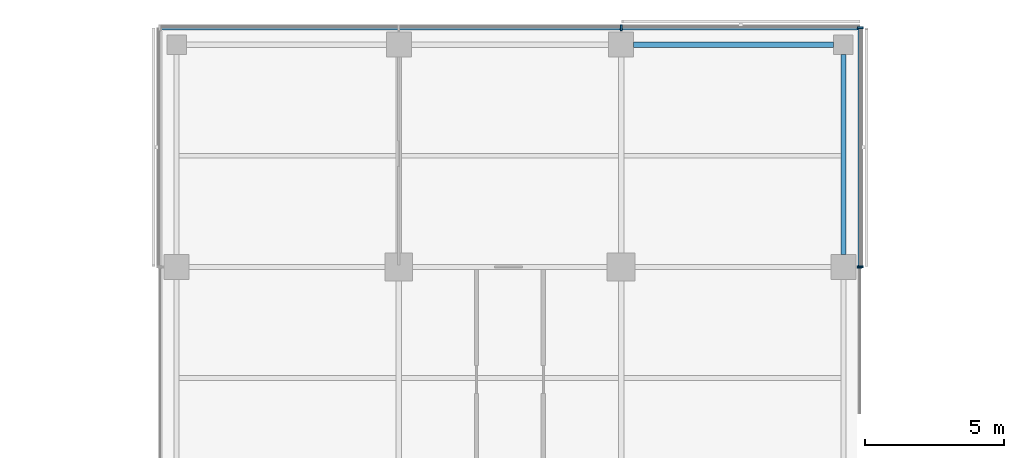
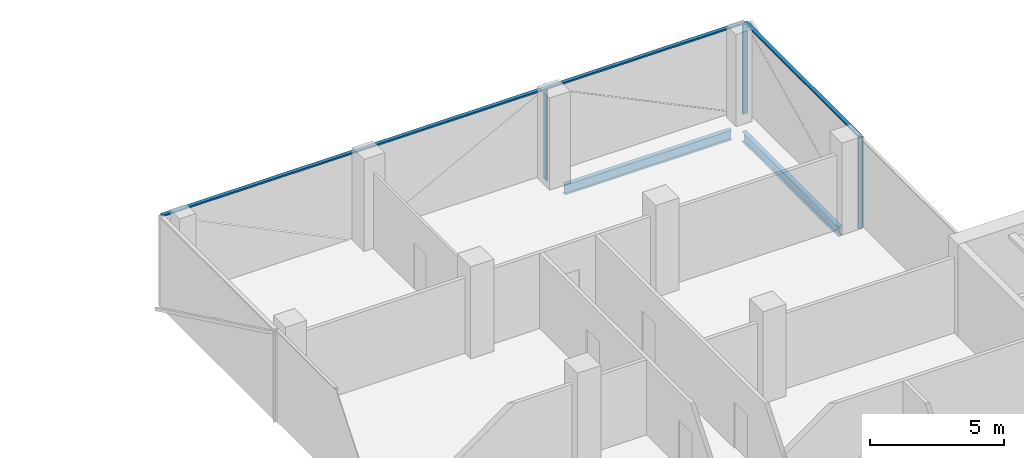
# One storey, part 10 of 22: 6 members, 2 beams, 3 elements without a shape of their own.
"""IFC4 building model written with IfcOpenShell, lengths in metres."""

from ifc_helpers import new_model, si_unit, direction, frame, origin, origin_2d, place, context, subcontext, project, spatial, rectangle, i_section, extrude, material, material_profile, profile_set, type_object, element, aggregate, save


model = new_model("IFC4")

# Units and contexts
model_context = context("Model", 3, precision=1e-05, world=origin(), true_north=direction((0.0, 1.0)))
body_context = subcontext(model_context, "Body", "Model", "MODEL_VIEW")
ifc_project = project(units=[si_unit("LENGTHUNIT", "METRE"), si_unit("AREAUNIT", "SQUARE_METRE"), si_unit("VOLUMEUNIT", "CUBIC_METRE"), si_unit("PLANEANGLEUNIT", "RADIAN"), si_unit("MASSUNIT", "GRAM", prefix="KILO")], contexts=[model_context])

# Site, building, storey
site_placement = place(None, origin())
site = spatial("IfcSite", under=ifc_project, at=site_placement, CompositionType="ELEMENT")
building_placement = place(site_placement, origin())
building = spatial("IfcBuilding", under=site, at=building_placement, Name="Crosswind Convention Tower", CompositionType="ELEMENT")
storey_placement = place(building_placement, frame((0.0, 0.0, 158.89990234375)))
storey = spatial("IfcBuildingStorey", under=building, at=storey_placement, Name="L33", CompositionType="ELEMENT", Elevation=158.89990234375)

# Beams
ifc_material_1 = material(Name="Steel S355", Category="steel")
ifc_material_profile_1 = material_profile(ifc_material_1, i_section(OverallWidth=0.18994140625, OverallDepth=0.45361328125, WebThickness=0.008544921875, FlangeThickness=0.0126953125, FilletRadius=0.01025390625, at=origin_2d()), Name="UB 457x191x67")
ifc_profile_set_1 = profile_set([ifc_material_profile_1], Name="Steel S355")
beam_type = type_object("IfcBeamType", Name="Edge beam UB 457x191x67", PredefinedType="SPANDREL", material=ifc_profile_set_1)
for number, where, z_axis, x_axis, name in (
    (1, (129.449951171875, 128.0, -0.526611328125), (1.0, 0.0, 0.0), (0.0, 1.0, 0.0), "B16 L33 edge beam 15"),
    (2, (137.0, 120.449951171875, -0.526611328125), (0.0, 1.0, 0.0), (-1.0, 0.0, 0.0), "B16 L33 edge beam 19"),
):
    element("IfcBeam", number, at=place(storey_placement, frame(where, z_axis=z_axis, x_axis=x_axis)), inside=storey, type_object=beam_type, Name=name, PredefinedType="SPANDREL", context=body_context, shape_type="SweptSolid", body=[
        extrude(i_section(OverallWidth=0.18994140625, OverallDepth=0.45361328125, WebThickness=0.008544921875, FlangeThickness=0.0126953125, FilletRadius=0.01025390625, at=origin_2d()), origin(), (0.0, 0.0, 1.0), 7.199951171875),
    ])

# Curtain wall, member
ifc_material_2 = material(Name="Aluminium unitised curtain wall", Category="aluminium")
curtain_wall_type_1 = type_object("IfcCurtainWallType", Name="CORE END SLOT WALL 160", PredefinedType="USERDEFINED", material=ifc_material_2)
curtain_wall_1_placement = place(storey_placement, origin())
curtain_wall_1 = element("IfcCurtainWall", 3, at=curtain_wall_1_placement, inside=storey, type_object=curtain_wall_type_1, Name="CW6 L33 N-E.1-1 slot", ObjectType="UNITISED", PredefinedType="USERDEFINED")
ifc_material_3 = material(Name="Aluminium mullion", Category="aluminium")
ifc_material_profile_2 = material_profile(ifc_material_3, rectangle(XDim=0.159912109375, YDim=0.050048828125, at=origin_2d()), Name="AL 160X50")
ifc_profile_set_2 = profile_set([ifc_material_profile_2], Name="Aluminium mullion")
member_type_1 = type_object("IfcMemberType", Name="MULLION 50X160", PredefinedType="MULLION", material=ifc_profile_set_2)
member_1_placement = place(storey_placement, frame((137.580078125, 119.97509765625, -0.2998046875), z_axis=(0.0, 0.0, 1.0), x_axis=(1.0, 0.0, 0.0)))
member_1 = element("IfcMember", 4, at=member_1_placement, type_object=member_type_1, Name="CW6 mullion 2", PredefinedType="MULLION", context=body_context, shape_type="SweptSolid", body=[
    extrude(rectangle(XDim=0.159912109375, YDim=0.050048828125, at=origin_2d()), origin(), (0.0, 0.0, 1.0), 4.14990234375),
])
aggregate(curtain_wall_1, [member_1])

# Curtain wall, members
curtain_wall_type_2 = type_object("IfcCurtainWallType", Name="OFFICE UNITISED WALL 220", PredefinedType="USERDEFINED", material=ifc_material_2)
curtain_wall_2_placement = place(storey_placement, origin())
curtain_wall_2 = element("IfcCurtainWall", 5, at=curtain_wall_2_placement, inside=storey, type_object=curtain_wall_type_2, Name="CW3 L33 N-E 1", ObjectType="UNITISED", PredefinedType="USERDEFINED")
ifc_material_profile_3 = material_profile(ifc_material_3, rectangle(XDim=0.219970703125, YDim=0.070068359375, at=origin_2d()), Name="AL 220X70")
ifc_profile_set_3 = profile_set([ifc_material_profile_3], Name="Aluminium mullion")
member_type_2 = type_object("IfcMemberType", Name="MULLION 70X220", PredefinedType="MULLION", material=ifc_profile_set_3)
member_2_placement = place(storey_placement, frame((137.610107421875, 120.0, -0.2998046875), z_axis=(0.0, 0.0, 1.0), x_axis=(1.0, 0.0, 0.0)))
member_2 = element("IfcMember", 6, at=member_2_placement, type_object=member_type_2, Name="CW3 mullion 1", PredefinedType="MULLION", context=body_context, shape_type="SweptSolid", body=[
    extrude(rectangle(XDim=0.219970703125, YDim=0.070068359375, at=origin_2d()), origin(), (0.0, 0.0, 1.0), 4.1298828125),
])
member_3_placement = place(storey_placement, frame((137.610107421875, 128.610107421875, -0.2998046875), z_axis=(0.0, 0.0, 1.0), x_axis=(1.0, 0.0, 0.0)))
member_3 = element("IfcMember", 7, at=member_3_placement, type_object=member_type_2, Name="CW3 mullion 2", PredefinedType="MULLION", context=body_context, shape_type="SweptSolid", body=[
    extrude(rectangle(XDim=0.219970703125, YDim=0.070068359375, at=origin_2d()), origin(), (0.0, 0.0, 1.0), 4.1298828125),
])

# Curtain wall, member
curtain_wall_3_placement = place(storey_placement, origin())
curtain_wall_3 = element("IfcCurtainWall", 8, at=curtain_wall_3_placement, inside=storey, type_object=curtain_wall_type_2, Name="CW3 L33 N-TIP 1", ObjectType="UNITISED", PredefinedType="USERDEFINED")
member_4_placement = place(storey_placement, frame((129.0, 128.610107421875, -0.2998046875), z_axis=(0.0, 0.0, 1.0), x_axis=(0.0, 1.0, 0.0)))
member_4 = element("IfcMember", 9, at=member_4_placement, type_object=member_type_2, Name="CW3 mullion 2", PredefinedType="MULLION", context=body_context, shape_type="SweptSolid", body=[
    extrude(rectangle(XDim=0.219970703125, YDim=0.070068359375, at=origin_2d()), origin(), (0.0, 0.0, 1.0), 4.1298828125),
])

# Member
ifc_material_4 = material(Name="Aluminium transom", Category="aluminium")
ifc_material_profile_4 = material_profile(ifc_material_4, rectangle(XDim=0.159912109375, YDim=0.070068359375, at=origin_2d()), Name="AL 160X70")
ifc_profile_set_4 = profile_set([ifc_material_profile_4], Name="Aluminium transom")
member_type_3 = type_object("IfcMemberType", Name="TRANSOM 70X160", PredefinedType="USERDEFINED", material=ifc_profile_set_4)
member_5_placement = place(storey_placement, frame((137.610107421875, 120.034912109375, 3.864990234375), z_axis=(0.0, 1.0, 0.0), x_axis=(-1.0, 0.0, 0.0)))
member_5 = element("IfcMember", 10, at=member_5_placement, type_object=member_type_3, Name="CW3 transom", ObjectType="TRANSOM", PredefinedType="USERDEFINED", context=body_context, shape_type="SweptSolid", body=[
    extrude(rectangle(XDim=0.159912109375, YDim=0.070068359375, at=origin_2d()), origin(), (0.0, 0.0, 1.0), 8.5400390625),
])

aggregate(curtain_wall_2, [member_2, member_3, member_5])

member_6_placement = place(storey_placement, frame((137.574951171875, 128.610107421875, 3.864990234375), z_axis=(-1.0, 0.0, 0.0), x_axis=(0.0, -1.0, 0.0)))
member_6 = element("IfcMember", 11, at=member_6_placement, type_object=member_type_3, Name="CW3 transom", ObjectType="TRANSOM", PredefinedType="USERDEFINED", context=body_context, shape_type="SweptSolid", body=[
    extrude(rectangle(XDim=0.159912109375, YDim=0.070068359375, at=origin_2d()), origin(), (0.0, 0.0, 1.0), 25.14990234375),
])

aggregate(curtain_wall_3, [member_4, member_6])

save(model, "model.ifc")
